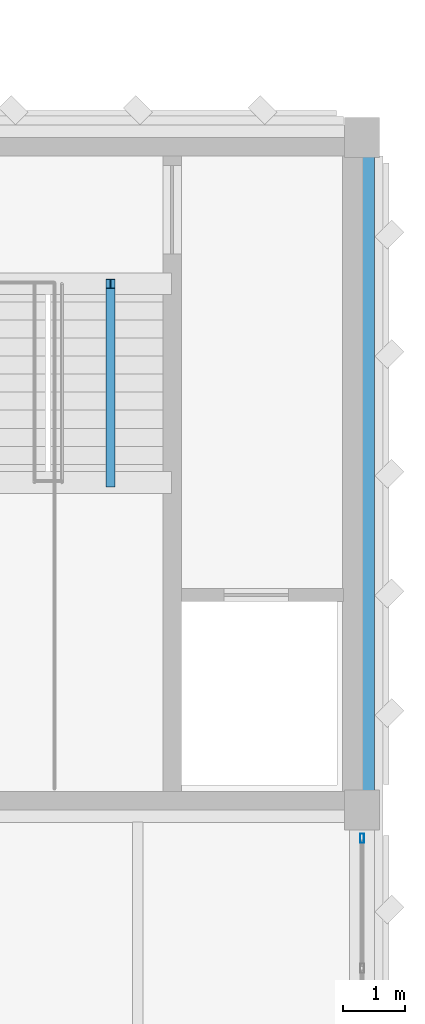
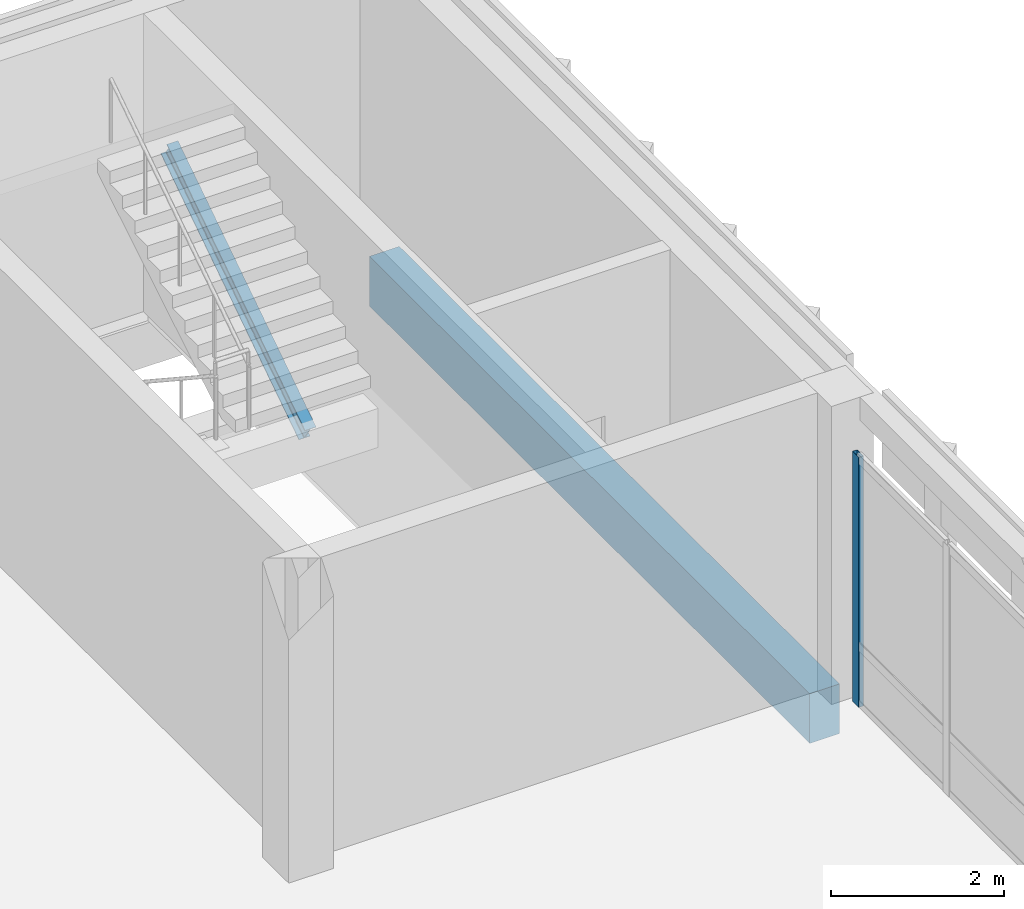
# One storey, part 119 of 158: 2 beams, 1 member, 1 element without a shape of its own.
"""IFC4 building model written with IfcOpenShell, lengths in metres."""

from ifc_helpers import new_model, si_unit, direction, frame, origin, origin_2d, place, context, subcontext, project, spatial, rectangle, hollow_rectangle, i_section, extrude, material, material_profile, profile_set, type_object, element, aggregate, save


model = new_model("IFC4")

# Units and contexts
model_context = context("Model", 3, precision=1e-05, world=origin(), true_north=direction((0.0, 1.0)))
body_context = subcontext(model_context, "Body", "Model", "MODEL_VIEW")
ifc_project = project(units=[si_unit("LENGTHUNIT", "METRE"), si_unit("AREAUNIT", "SQUARE_METRE"), si_unit("VOLUMEUNIT", "CUBIC_METRE"), si_unit("PLANEANGLEUNIT", "RADIAN"), si_unit("MASSUNIT", "GRAM", prefix="KILO")], contexts=[model_context])

# Site, building, storey
site_placement = place(None, origin())
site = spatial("IfcSite", under=ifc_project, at=site_placement, CompositionType="ELEMENT")
building_placement = place(site_placement, origin())
building = spatial("IfcBuilding", under=site, at=building_placement, Name="Lusvemor Sports Hall", CompositionType="ELEMENT")
storey_placement = place(building_placement, frame((0.0, 0.0, 10.800048828125)))
storey = spatial("IfcBuildingStorey", under=building, at=storey_placement, Name="L02", CompositionType="ELEMENT", Elevation=10.800048828125)

# Curtain wall, member
ifc_material_1 = material(Name="Thermally broken bronze-anodized aluminium", Category="aluminium")
curtain_wall_type = type_object("IfcCurtainWallType", Name="CW_WING_B", PredefinedType="NOTDEFINED", material=ifc_material_1)
curtain_wall_placement = place(storey_placement, origin())
curtain_wall = element("IfcCurtainWall", 1, at=curtain_wall_placement, inside=storey, type_object=curtain_wall_type, Name="Curtain Wall CW-L02-E-2-0", PredefinedType="NOTDEFINED")
ifc_material_2 = material(Name="Thermally broken bronze-anodized aluminium", Category="aluminium")
ifc_material_profile_1 = material_profile(ifc_material_2, hollow_rectangle(XDim=0.06494140625, YDim=0.14990234375, WallThickness=0.00390625, InnerFilletRadius=0.00390625, OuterFilletRadius=0.008056640625, at=origin_2d()), Name="CWMUL150x65x4")
ifc_profile_set_1 = profile_set([ifc_material_profile_1], Name="Thermally broken bronze-anodized aluminium")
member_type = type_object("IfcMemberType", Name="CW_MUL_B", PredefinedType="MULLION", material=ifc_profile_set_1)
member_placement = place(storey_placement, frame((169.199951171875, 103.947509765625, 0.0), z_axis=(0.0, 0.0, 1.0), x_axis=(1.0, 0.0, 0.0)))
member = element("IfcMember", 2, at=member_placement, type_object=member_type, Name="CW02 mullion 1", PredefinedType="MULLION", context=body_context, shape_type="SweptSolid", body=[
    extrude(hollow_rectangle(XDim=0.06494140625, YDim=0.14990234375, WallThickness=0.00390625, InnerFilletRadius=0.00390625, OuterFilletRadius=0.008056640625, at=origin_2d()), origin(), (0.0, 0.0, 1.0), 3.52001953125),
])
aggregate(curtain_wall, [member])

# Beams
ifc_material_3 = material(Name="Steel S355", Category="steel")
ifc_material_profile_2 = material_profile(ifc_material_3, i_section(OverallWidth=0.14794921875, OverallDepth=0.26611328125, WebThickness=0.007568359375, FlangeThickness=0.012939453125, FilletRadius=0.012939453125, at=origin_2d()), Name="W250x44.8")
ifc_profile_set_2 = profile_set([ifc_material_profile_2], Name="Steel S355")
beam_type_1 = type_object("IfcBeamType", Name="JOIST_ST_250M", PredefinedType="JOIST", material=ifc_profile_set_2)
beam_1_placement = place(storey_placement, frame((165.159912109375, 109.659912109375, 1.7548828125), z_axis=(0.0, 0.835261802243, 0.549852454495), x_axis=(-1.0, 0.0, 0.0)))
element("IfcBeam", 3, at=beam_1_placement, inside=storey, type_object=beam_type_1, Name="Stair STR-C5-L02 Flight 2 Stringer Beam", PredefinedType="JOIST", context=body_context, shape_type="SweptSolid", body=[
    extrude(i_section(OverallWidth=0.14794921875, OverallDepth=0.26611328125, WebThickness=0.007568359375, FlangeThickness=0.012939453125, FilletRadius=0.012939453125, at=origin_2d()), origin(), (0.0, 0.0, 1.0), 3.8193359375),
])
ifc_material_4 = material(Name="Concrete C40/50", Category="concrete")
ifc_material_profile_3 = material_profile(ifc_material_4, rectangle(XDim=0.39990234375, YDim=0.699951171875, at=origin_2d()), Name="RC400x700")
ifc_profile_set_3 = profile_set([ifc_material_profile_3], Name="Concrete C40/50")
beam_type_2 = type_object("IfcBeamType", Name="SPAND_EXT_700", PredefinedType="SPANDREL", material=ifc_profile_set_3)
beam_2_placement = place(storey_placement, frame((169.199951171875, 104.716064453125, -0.610107421875), z_axis=(0.0, 1.0, 0.0), x_axis=(-1.0, 0.0, 0.0)))
element("IfcBeam", 4, at=beam_2_placement, inside=storey, type_object=beam_type_2, Name="Beam L02 20:P-Q", PredefinedType="SPANDREL", context=body_context, shape_type="SweptSolid", body=[
    extrude(rectangle(XDim=0.39990234375, YDim=0.699951171875, at=origin_2d()), origin(), (0.0, 0.0, 1.0), 10.16796875),
])

save(model, "model.ifc")
